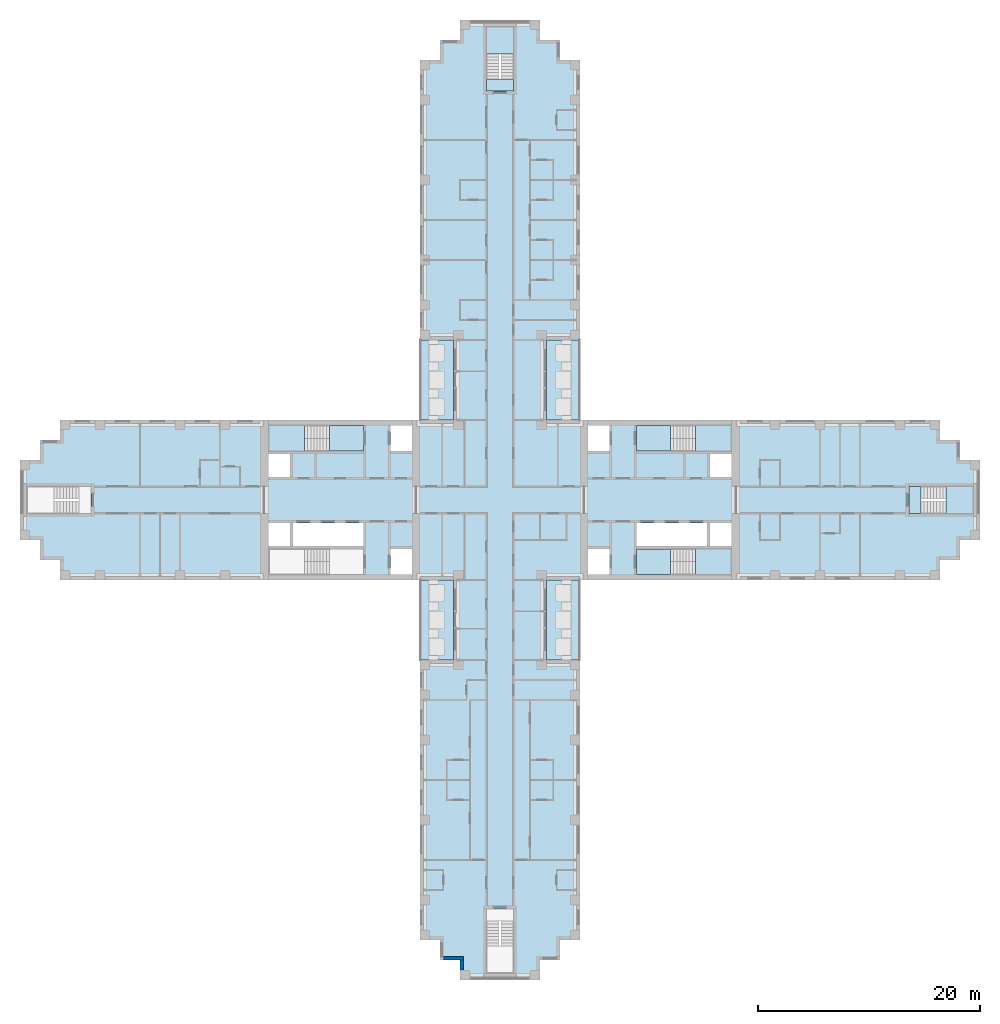
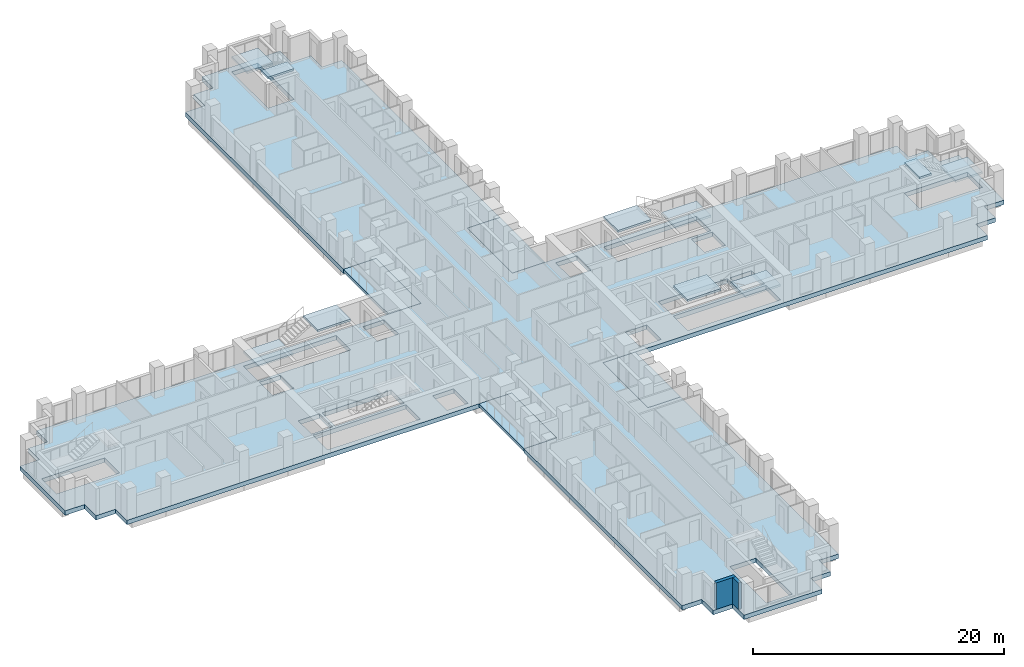
# One storey, part 2 of 15: 15 slabs, 2 walls, 5 elements without a shape of their own.
"""IFC4 building model written with IfcOpenShell, lengths in metres."""

from ifc_helpers import new_model, si_unit, direction, frame, frame_2d, origin, place, context, subcontext, project, spatial, polyline, rectangle, outline, extrude, material, layer, layer_set, type_object, element, aggregate, save


model = new_model("IFC4")

# Units and contexts
model_context = context("Model", 3, precision=1e-05, world=origin(), true_north=direction((0.0, 1.0)))
body_context = subcontext(model_context, "Body", "Model", "MODEL_VIEW")
ifc_project = project(units=[si_unit("LENGTHUNIT", "METRE"), si_unit("AREAUNIT", "SQUARE_METRE"), si_unit("VOLUMEUNIT", "CUBIC_METRE"), si_unit("PLANEANGLEUNIT", "RADIAN"), si_unit("MASSUNIT", "GRAM", prefix="KILO")], contexts=[model_context])

# Site, building, storey
site_placement = place(None, origin())
site = spatial("IfcSite", under=ifc_project, at=site_placement, CompositionType="ELEMENT")
building_placement = place(site_placement, origin())
building = spatial("IfcBuilding", under=site, at=building_placement, Name="Fustian Cross Tower", CompositionType="ELEMENT")
storey_placement = place(building_placement, frame((0.0, 0.0, 53.699951171875)))
storey = spatial("IfcBuildingStorey", under=building, at=storey_placement, Name="L16", CompositionType="ELEMENT", Elevation=53.699951171875)

# Slabs
ifc_material_1 = material(Name="Concrete C40/50", Category="concrete")
ifc_layer_1 = layer(ifc_material_1, 0.300048828125)
ifc_layer_set_1 = layer_set([ifc_layer_1], Name="Concrete C40/50")
slab_type_1 = type_object("IfcSlabType", Name="BS1 BALCONY SLAB 300", PredefinedType="FLOOR", material=ifc_layer_set_1)
slab_1_placement = place(storey_placement, frame((0.0, 0.0, -0.300048828125)))
element("IfcSlab", 1, at=slab_1_placement, inside=storey, type_object=slab_type_1, Name="Balcony slab", PredefinedType="FLOOR", context=body_context, shape_type="SweptSolid", body=[
    extrude(outline(polyline([(4.199951171875, 7.199951171875), (7.199951171875, 7.199951171875), (7.199951171875, 14.39990234375), (4.199951171875, 14.39990234375), (4.199951171875, 7.199951171875)])), origin(), (0.0, 0.0, 1.0), 0.300048828125),
])
slab_2_placement = place(storey_placement, frame((0.0, 0.0, -0.300048828125)))
element("IfcSlab", 2, at=slab_2_placement, inside=storey, type_object=slab_type_1, Name="Balcony slab", PredefinedType="FLOOR", context=body_context, shape_type="SweptSolid", body=[
    extrude(outline(polyline([(-7.199951171875, 7.199951171875), (-4.199951171875, 7.199951171875), (-4.199951171875, 14.39990234375), (-7.199951171875, 14.39990234375), (-7.199951171875, 7.199951171875)])), origin(), (0.0, 0.0, 1.0), 0.300048828125),
])
slab_3_placement = place(storey_placement, frame((0.0, 0.0, -0.300048828125)))
element("IfcSlab", 3, at=slab_3_placement, inside=storey, type_object=slab_type_1, Name="Balcony slab", PredefinedType="FLOOR", context=body_context, shape_type="SweptSolid", body=[
    extrude(outline(polyline([(4.199951171875, -14.39990234375), (7.199951171875, -14.39990234375), (7.199951171875, -7.199951171875), (4.199951171875, -7.199951171875), (4.199951171875, -14.39990234375)])), origin(), (0.0, 0.0, 1.0), 0.300048828125),
])
slab_4_placement = place(storey_placement, frame((0.0, 0.0, -0.300048828125)))
element("IfcSlab", 4, at=slab_4_placement, inside=storey, type_object=slab_type_1, Name="Balcony slab", PredefinedType="FLOOR", context=body_context, shape_type="SweptSolid", body=[
    extrude(outline(polyline([(-7.199951171875, -14.39990234375), (-4.199951171875, -14.39990234375), (-4.199951171875, -7.199951171875), (-7.199951171875, -7.199951171875), (-7.199951171875, -14.39990234375)])), origin(), (0.0, 0.0, 1.0), 0.300048828125),
])
ifc_material_2 = material(Name="Concrete C40/50", Category="concrete")
ifc_layer_2 = layer(ifc_material_2, 0.425048828125)
ifc_layer_set_2 = layer_set([ifc_layer_2], Name="Concrete C40/50")
slab_type_2 = type_object("IfcSlabType", Name="FLAT SLAB 425", PredefinedType="FLOOR", material=ifc_layer_set_2)
slab_5_placement = place(storey_placement, frame((0.0, 0.0, -0.425048828125)))
element("IfcSlab", 5, at=slab_5_placement, inside=storey, type_object=slab_type_2, Name="FLOOR SLAB L16-1", PredefinedType="FLOOR", context=body_context, shape_type="SweptSolid", body=[
    extrude(outline(polyline([(-4.199951171875, -7.199951171875), (-39.60009765625, -7.199951171875), (-39.60009765625, -5.39990234375), (-41.39990234375, -5.39990234375), (-41.39990234375, -3.60009765625), (-43.199951171875, -3.60009765625), (-43.199951171875, 3.60009765625), (-41.39990234375, 3.60009765625), (-41.39990234375, 5.39990234375), (-39.60009765625, 5.39990234375), (-39.60009765625, 7.199951171875), (-4.199951171875, 7.199951171875), (-4.199951171875, 14.39990234375), (-7.199951171875, 14.39990234375), (-7.199951171875, 39.60009765625), (-5.39990234375, 39.60009765625), (-5.39990234375, 41.39990234375), (-3.60009765625, 41.39990234375), (-3.60009765625, 43.199951171875), (3.60009765625, 43.199951171875), (3.60009765625, 41.39990234375), (5.39990234375, 41.39990234375), (5.39990234375, 39.60009765625), (7.199951171875, 39.60009765625), (7.199951171875, 14.39990234375), (4.199951171875, 14.39990234375), (4.199951171875, 7.199951171875), (39.60009765625, 7.199951171875), (39.60009765625, 5.39990234375), (41.39990234375, 5.39990234375), (41.39990234375, 3.60009765625), (43.199951171875, 3.60009765625), (43.199951171875, -3.60009765625), (41.39990234375, -3.60009765625), (41.39990234375, -5.39990234375), (39.60009765625, -5.39990234375), (39.60009765625, -7.199951171875), (4.199951171875, -7.199951171875), (4.199951171875, -14.39990234375), (7.199951171875, -14.39990234375), (7.199951171875, -39.60009765625), (5.39990234375, -39.60009765625), (5.39990234375, -41.39990234375), (3.60009765625, -41.39990234375), (3.60009765625, -43.199951171875), (-3.60009765625, -43.199951171875), (-3.60009765625, -41.39990234375), (-5.39990234375, -41.39990234375), (-5.39990234375, -39.60009765625), (-7.199951171875, -39.60009765625), (-7.199951171875, -14.39990234375), (-4.199951171875, -14.39990234375), (-4.199951171875, -7.199951171875)]), holes=[polyline([(18.89990234375, -2.050048828125), (18.89990234375, -4.14990234375), (20.85009765625, -4.14990234375), (20.85009765625, -2.050048828125), (18.89990234375, -2.050048828125)]), polyline([(20.85009765625, 4.14990234375), (18.89990234375, 4.14990234375), (18.89990234375, 2.050048828125), (20.85009765625, 2.050048828125), (20.85009765625, 4.14990234375)]), polyline([(9.85009765625, 4.39990234375), (9.85009765625, 6.699951171875), (7.89990234375, 6.699951171875), (7.89990234375, 4.39990234375), (9.85009765625, 4.39990234375)]), polyline([(7.89990234375, -6.699951171875), (9.85009765625, -6.699951171875), (9.85009765625, -4.39990234375), (7.89990234375, -4.39990234375), (7.89990234375, -6.699951171875)]), polyline([(-20.85009765625, -2.050048828125), (-20.85009765625, -4.14990234375), (-18.89990234375, -4.14990234375), (-18.89990234375, -2.050048828125), (-20.85009765625, -2.050048828125)]), polyline([(-18.89990234375, 4.14990234375), (-20.85009765625, 4.14990234375), (-20.85009765625, 2.050048828125), (-18.89990234375, 2.050048828125), (-18.89990234375, 4.14990234375)]), polyline([(-7.89990234375, 4.39990234375), (-7.89990234375, 6.699951171875), (-9.85009765625, 6.699951171875), (-9.85009765625, 4.39990234375), (-7.89990234375, 4.39990234375)]), polyline([(-9.85009765625, -6.699951171875), (-7.89990234375, -6.699951171875), (-7.89990234375, -4.39990234375), (-9.85009765625, -4.39990234375), (-9.85009765625, -6.699951171875)]), polyline([(12.300048828125, -2.050048828125), (12.300048828125, -4.14990234375), (18.64990234375, -4.14990234375), (18.64990234375, -2.050048828125), (12.300048828125, -2.050048828125)]), polyline([(-12.300048828125, -2.050048828125), (-18.64990234375, -2.050048828125), (-18.64990234375, -4.14990234375), (-12.300048828125, -4.14990234375), (-12.300048828125, -2.050048828125)]), polyline([(20.85009765625, 4.39990234375), (20.85009765625, 6.699951171875), (12.300048828125, 6.699951171875), (12.300048828125, 4.39990234375), (20.85009765625, 4.39990234375)]), polyline([(12.300048828125, -6.699951171875), (20.85009765625, -6.699951171875), (20.85009765625, -4.39990234375), (12.300048828125, -4.39990234375), (12.300048828125, -6.699951171875)]), polyline([(-20.85009765625, 6.699951171875), (-20.85009765625, 4.39990234375), (-12.300048828125, 4.39990234375), (-12.300048828125, 6.699951171875), (-20.85009765625, 6.699951171875)]), polyline([(-12.300048828125, -4.39990234375), (-20.85009765625, -4.39990234375), (-20.85009765625, -6.699951171875), (-12.300048828125, -6.699951171875), (-12.300048828125, -4.39990234375)]), polyline([(1.199951171875, 36.800048828125), (1.199951171875, 42.60009765625), (-1.199951171875, 42.60009765625), (-1.199951171875, 36.800048828125), (1.199951171875, 36.800048828125)]), polyline([(-1.199951171875, -42.60009765625), (1.199951171875, -42.60009765625), (1.199951171875, -36.800048828125), (-1.199951171875, -36.800048828125), (-1.199951171875, -42.60009765625)]), polyline([(36.800048828125, 1.199951171875), (36.800048828125, -1.199951171875), (42.60009765625, -1.199951171875), (42.60009765625, 1.199951171875), (36.800048828125, 1.199951171875)]), polyline([(-36.800048828125, 1.199951171875), (-42.60009765625, 1.199951171875), (-42.60009765625, -1.199951171875), (-36.800048828125, -1.199951171875), (-36.800048828125, 1.199951171875)])]), origin(), (0.0, 0.0, 1.0), 0.425048828125),
])

# Stair, slabs
ifc_material_3 = material(Name="Concrete C50/60", Category="concrete")
stair_type_1 = type_object("IfcStairType", Name="STAIR 1150 HALF TURN", PredefinedType="HALF_TURN_STAIR", material=ifc_material_3)
stair_1_placement = place(storey_placement, origin())
stair_1 = element("IfcStair", 6, at=stair_1_placement, inside=storey, type_object=stair_type_1, Name="Stair ST1", PredefinedType="HALF_TURN_STAIR")
ifc_material_4 = material(Name="Concrete C50/60", Category="concrete")
ifc_layer_3 = layer(ifc_material_4, 0.199951171875)
ifc_layer_set_3 = layer_set([ifc_layer_3], Name="Concrete C50/60")
slab_type_3 = type_object("IfcSlabType", Name="STAIR LANDING", PredefinedType="LANDING", material=ifc_layer_set_3)
slab_6_placement = place(storey_placement, frame((0.0, 0.0, 1.300048828125)))
slab_6 = element("IfcSlab", 7, at=slab_6_placement, type_object=slab_type_3, Name="ST1 landing 1", PredefinedType="LANDING", context=body_context, shape_type="SweptSolid", body=[
    extrude(outline(polyline([(17.590087890625, 4.39990234375), (20.85009765625, 4.39990234375), (20.85009765625, 6.699951171875), (17.590087890625, 6.699951171875), (17.590087890625, 4.39990234375)])), origin(), (0.0, 0.0, 1.0), 0.199951171875),
])
slab_7_placement = place(storey_placement, frame((0.0, 0.0, 2.800048828125)))
slab_7 = element("IfcSlab", 8, at=slab_7_placement, type_object=slab_type_3, Name="ST1 landing 2", PredefinedType="LANDING", context=body_context, shape_type="SweptSolid", body=[
    extrude(outline(polyline([(12.300048828125, 4.39990234375), (15.35009765625, 4.39990234375), (15.35009765625, 6.699951171875), (12.300048828125, 6.699951171875), (12.300048828125, 4.39990234375)])), origin(), (0.0, 0.0, 1.0), 0.199951171875),
])
aggregate(stair_1, [slab_6, slab_7])

stair_2_placement = place(storey_placement, origin())
stair_2 = element("IfcStair", 9, at=stair_2_placement, inside=storey, type_object=stair_type_1, Name="Stair ST2", PredefinedType="HALF_TURN_STAIR")
slab_8_placement = place(storey_placement, frame((0.0, 0.0, 1.300048828125)))
slab_8 = element("IfcSlab", 10, at=slab_8_placement, type_object=slab_type_3, Name="ST2 landing 1", PredefinedType="LANDING", context=body_context, shape_type="SweptSolid", body=[
    extrude(outline(polyline([(17.590087890625, -4.39990234375), (20.85009765625, -4.39990234375), (20.85009765625, -6.699951171875), (17.590087890625, -6.699951171875), (17.590087890625, -4.39990234375)])), origin(), (0.0, 0.0, 1.0), 0.199951171875),
])
slab_9_placement = place(storey_placement, frame((0.0, 0.0, 2.800048828125)))
slab_9 = element("IfcSlab", 11, at=slab_9_placement, type_object=slab_type_3, Name="ST2 landing 2", PredefinedType="LANDING", context=body_context, shape_type="SweptSolid", body=[
    extrude(outline(polyline([(12.300048828125, -4.39990234375), (15.35009765625, -4.39990234375), (15.35009765625, -6.699951171875), (12.300048828125, -6.699951171875), (12.300048828125, -4.39990234375)])), origin(), (0.0, 0.0, 1.0), 0.199951171875),
])
aggregate(stair_2, [slab_8, slab_9])

stair_3_placement = place(storey_placement, origin())
stair_3 = element("IfcStair", 12, at=stair_3_placement, inside=storey, type_object=stair_type_1, Name="Stair ST3", PredefinedType="HALF_TURN_STAIR")
slab_10_placement = place(storey_placement, frame((0.0, 0.0, 1.300048828125)))
slab_10 = element("IfcSlab", 13, at=slab_10_placement, type_object=slab_type_3, Name="ST3 landing 1", PredefinedType="LANDING", context=body_context, shape_type="SweptSolid", body=[
    extrude(outline(polyline([(-17.590087890625, 4.39990234375), (-20.85009765625, 4.39990234375), (-20.85009765625, 6.699951171875), (-17.590087890625, 6.699951171875), (-17.590087890625, 4.39990234375)])), origin(), (0.0, 0.0, 1.0), 0.199951171875),
])
slab_11_placement = place(storey_placement, frame((0.0, 0.0, 2.800048828125)))
slab_11 = element("IfcSlab", 14, at=slab_11_placement, type_object=slab_type_3, Name="ST3 landing 2", PredefinedType="LANDING", context=body_context, shape_type="SweptSolid", body=[
    extrude(outline(polyline([(-12.300048828125, 4.39990234375), (-15.35009765625, 4.39990234375), (-15.35009765625, 6.699951171875), (-12.300048828125, 6.699951171875), (-12.300048828125, 4.39990234375)])), origin(), (0.0, 0.0, 1.0), 0.199951171875),
])
aggregate(stair_3, [slab_10, slab_11])

ifc_material_5 = material(Name="Concrete C50/60", Category="concrete")
stair_type_2 = type_object("IfcStairType", Name="STAIR 1100 HALF TURN", PredefinedType="HALF_TURN_STAIR", material=ifc_material_5)
stair_4_placement = place(storey_placement, origin())
stair_4 = element("IfcStair", 15, at=stair_4_placement, inside=storey, type_object=stair_type_2, Name="Stair ST5", PredefinedType="HALF_TURN_STAIR")
slab_12_placement = place(storey_placement, frame((0.0, 0.0, 1.300048828125)))
slab_12 = element("IfcSlab", 16, at=slab_12_placement, type_object=slab_type_3, Name="ST5 landing 1", PredefinedType="LANDING", context=body_context, shape_type="SweptSolid", body=[
    extrude(outline(polyline([(-1.199951171875, 40.139892578125), (-1.199951171875, 42.60009765625), (1.199951171875, 42.60009765625), (1.199951171875, 40.139892578125), (-1.199951171875, 40.139892578125)])), origin(), (0.0, 0.0, 1.0), 0.199951171875),
])
slab_13_placement = place(storey_placement, frame((0.0, 0.0, 2.800048828125)))
slab_13 = element("IfcSlab", 17, at=slab_13_placement, type_object=slab_type_3, Name="ST5 landing 2", PredefinedType="LANDING", context=body_context, shape_type="SweptSolid", body=[
    extrude(outline(polyline([(-1.199951171875, 36.800048828125), (-1.199951171875, 37.89990234375), (1.199951171875, 37.89990234375), (1.199951171875, 36.800048828125), (-1.199951171875, 36.800048828125)])), origin(), (0.0, 0.0, 1.0), 0.199951171875),
])
aggregate(stair_4, [slab_12, slab_13])

stair_5_placement = place(storey_placement, origin())
stair_5 = element("IfcStair", 18, at=stair_5_placement, inside=storey, type_object=stair_type_2, Name="Stair ST8", PredefinedType="HALF_TURN_STAIR")
slab_14_placement = place(storey_placement, frame((0.0, 0.0, 1.300048828125)))
slab_14 = element("IfcSlab", 19, at=slab_14_placement, type_object=slab_type_3, Name="ST8 landing 1", PredefinedType="LANDING", context=body_context, shape_type="SweptSolid", body=[
    extrude(outline(polyline([(40.139892578125, -1.199951171875), (42.60009765625, -1.199951171875), (42.60009765625, 1.199951171875), (40.139892578125, 1.199951171875), (40.139892578125, -1.199951171875)])), origin(), (0.0, 0.0, 1.0), 0.199951171875),
])
slab_15_placement = place(storey_placement, frame((0.0, 0.0, 2.800048828125)))
slab_15 = element("IfcSlab", 20, at=slab_15_placement, type_object=slab_type_3, Name="ST8 landing 2", PredefinedType="LANDING", context=body_context, shape_type="SweptSolid", body=[
    extrude(outline(polyline([(36.800048828125, -1.199951171875), (37.89990234375, -1.199951171875), (37.89990234375, 1.199951171875), (36.800048828125, 1.199951171875), (36.800048828125, -1.199951171875)])), origin(), (0.0, 0.0, 1.0), 0.199951171875),
])
aggregate(stair_5, [slab_14, slab_15])

# Walls
ifc_material_6 = material(Name="Dark aluminium cladding on insulated backing wall", Category="aluminium")
ifc_layer_4 = layer(ifc_material_6, 0.300048828125)
ifc_layer_set_4 = layer_set([ifc_layer_4], Name="Dark aluminium cladding on insulated backing wall")
wall_type = type_object("IfcWallType", Name="XW1 EXTERNAL WALL 300", PredefinedType="SOLIDWALL", material=ifc_layer_set_4)
wall_1_placement = place(storey_placement, frame((-5.10009765625, -41.25, 0.0), z_axis=(0.0, 0.0, 1.0), x_axis=(1.0, 0.0, 0.0)))
element("IfcWall", 21, at=wall_1_placement, inside=storey, type_object=wall_type, Name="External wall", PredefinedType="SOLIDWALL", context=body_context, shape_type="SweptSolid", body=[
    extrude(rectangle(XDim=1.800048828125, YDim=0.300048828125, at=frame_2d((0.89990234375, 0.0))), origin(), (0.0, 0.0, 1.0), 2.574951171875),
])
wall_2_placement = place(storey_placement, frame((-3.449951171875, -41.39990234375, 0.0), z_axis=(0.0, 0.0, 1.0), x_axis=(0.0, -1.0, 0.0)))
element("IfcWall", 22, at=wall_2_placement, inside=storey, type_object=wall_type, Name="External wall", PredefinedType="SOLIDWALL", context=body_context, shape_type="SweptSolid", body=[
    extrude(rectangle(XDim=0.900146484375, YDim=0.300048828125, at=frame_2d((0.4501953125, 0.0))), origin(), (0.0, 0.0, 1.0), 2.574951171875),
])

save(model, "model.ifc")
